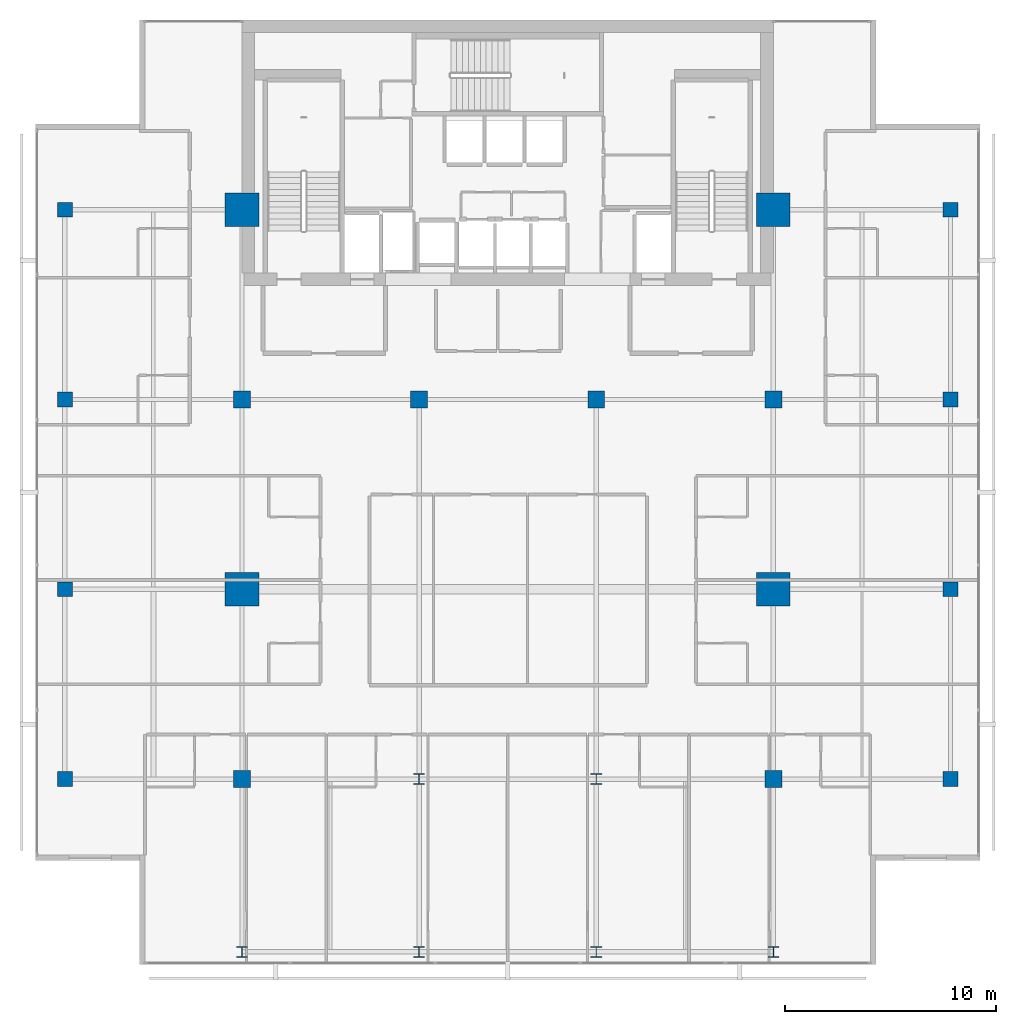
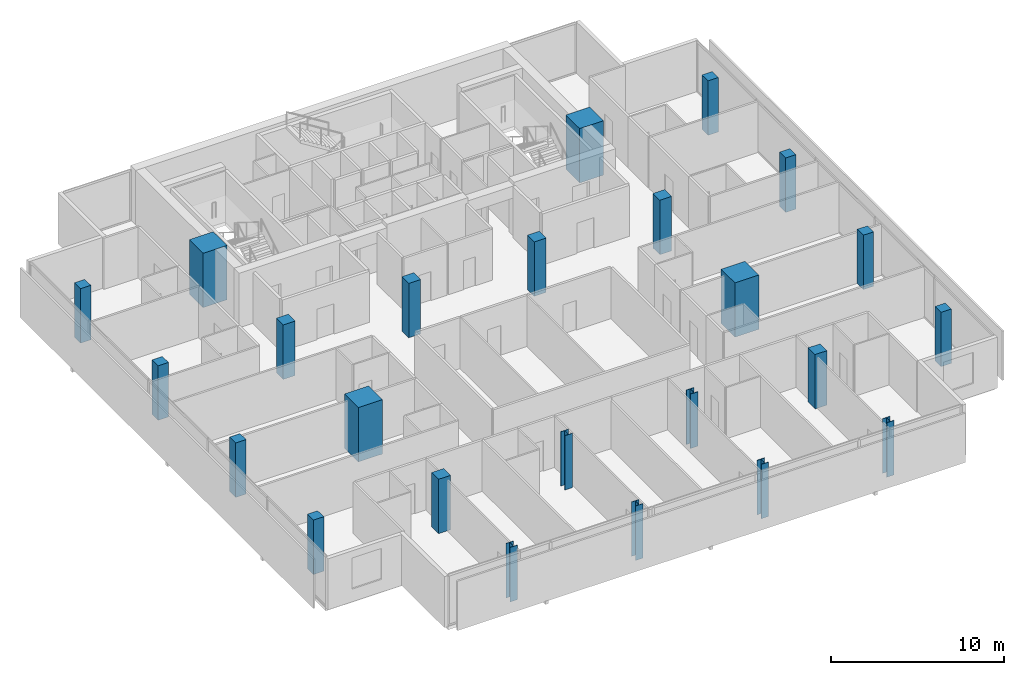
# One storey, part 1 of 26: 24 columns.
"""IFC4 building model written with IfcOpenShell, lengths in metres."""

from ifc_helpers import new_model, si_unit, direction, frame, origin, origin_2d, place, context, subcontext, project, spatial, rectangle, i_section, extrude, material, material_profile, profile_set, type_object, element, save


model = new_model("IFC4")

# Units and contexts
model_context = context("Model", 3, precision=1e-05, world=origin(), true_north=direction((0.0, 1.0)))
body_context = subcontext(model_context, "Body", "Model", "MODEL_VIEW")
ifc_project = project(units=[si_unit("LENGTHUNIT", "METRE"), si_unit("AREAUNIT", "SQUARE_METRE"), si_unit("VOLUMEUNIT", "CUBIC_METRE"), si_unit("PLANEANGLEUNIT", "RADIAN"), si_unit("MASSUNIT", "GRAM", prefix="KILO")], contexts=[model_context])

# Site, building, storey
site_placement = place(None, origin())
site = spatial("IfcSite", under=ifc_project, at=site_placement, CompositionType="ELEMENT")
building_placement = place(site_placement, origin())
building = spatial("IfcBuilding", under=site, at=building_placement, Name="Maruvema Waterfront Hotel and Observation Tower", CompositionType="ELEMENT")
storey_placement = place(building_placement, frame((0.0, 0.0, 254.800048828125)))
storey = spatial("IfcBuildingStorey", under=building, at=storey_placement, Name="L62", CompositionType="ELEMENT", Elevation=254.800048828125)

# Columns
ifc_material_1 = material(Name="Concrete C70/85", Category="concrete")
ifc_material_profile_1 = material_profile(ifc_material_1, rectangle(XDim=1.60009765625, YDim=1.60009765625, at=origin_2d()), Name="MC1600x1600")
ifc_profile_set_1 = profile_set([ifc_material_profile_1], Name="Concrete C70/85")
column_type_1 = type_object("IfcColumnType", Name="Continuous Mega-Column MC1600x1600", PredefinedType="COLUMN", material=ifc_profile_set_1)
for number, where, z_axis, x_axis, name in (
    (1, (25.199951171875, 27.0, 0.0), (0.0, 0.0, 1.0), (1.0, 0.0, 0.0), "L62 Continuous Mega-Column MC-01"),
    (2, (50.39990234375, 27.0, 0.0), (0.0, 0.0, 1.0), (1.0, 0.0, 0.0), "L62 Continuous Mega-Column MC-02"),
    (3, (25.199951171875, 45.0, 0.0), (0.0, 0.0, 1.0), (1.0, 0.0, 0.0), "L62 Continuous Mega-Column MC-03"),
    (4, (50.39990234375, 45.0, 0.0), (0.0, 0.0, 1.0), (1.0, 0.0, 0.0), "L62 Continuous Mega-Column MC-04"),
):
    element("IfcColumn", number, at=place(storey_placement, frame(where, z_axis=z_axis, x_axis=x_axis)), inside=storey, type_object=column_type_1, Name=name, PredefinedType="COLUMN", context=body_context, shape_type="SweptSolid", body=[
        extrude(rectangle(XDim=1.60009765625, YDim=1.60009765625, at=origin_2d()), origin(), (0.0, 0.0, 1.0), 3.849853515625),
    ])
ifc_material_2 = material(Name="Concrete C60/75", Category="concrete")
ifc_material_profile_2 = material_profile(ifc_material_2, rectangle(XDim=0.699951171875, YDim=0.699951171875, at=origin_2d()), Name="RC700x700")
ifc_profile_set_2 = profile_set([ifc_material_profile_2], Name="Concrete C60/75")
column_type_2 = type_object("IfcColumnType", Name="Reinforced Concrete Column RC700x700", PredefinedType="COLUMN", material=ifc_profile_set_2)
for number, where, z_axis, x_axis, name in (
    (5, (16.800048828125, 18.0, 0.0), (0.0, 0.0, 1.0), (1.0, 0.0, 0.0), "L62 Column C-3Y18"),
    (6, (58.800048828125, 18.0, 0.0), (0.0, 0.0, 1.0), (1.0, 0.0, 0.0), "L62 Column C-8Y18"),
    (7, (16.800048828125, 27.0, 0.0), (0.0, 0.0, 1.0), (1.0, 0.0, 0.0), "L62 Column C-3Y27"),
    (8, (58.800048828125, 27.0, 0.0), (0.0, 0.0, 1.0), (1.0, 0.0, 0.0), "L62 Column C-8Y27"),
    (9, (16.800048828125, 36.0, 0.0), (0.0, 0.0, 1.0), (1.0, 0.0, 0.0), "L62 Column C-3Y36"),
    (10, (58.800048828125, 36.0, 0.0), (0.0, 0.0, 1.0), (1.0, 0.0, 0.0), "L62 Column C-8Y36"),
    (11, (16.800048828125, 45.0, 0.0), (0.0, 0.0, 1.0), (1.0, 0.0, 0.0), "L62 Column C-3Y45"),
    (12, (58.800048828125, 45.0, 0.0), (0.0, 0.0, 1.0), (1.0, 0.0, 0.0), "L62 Column C-8Y45"),
):
    element("IfcColumn", number, at=place(storey_placement, frame(where, z_axis=z_axis, x_axis=x_axis)), inside=storey, type_object=column_type_2, Name=name, PredefinedType="COLUMN", context=body_context, shape_type="SweptSolid", body=[
        extrude(rectangle(XDim=0.699951171875, YDim=0.699951171875, at=origin_2d()), origin(), (0.0, 0.0, 1.0), 3.849853515625),
    ])
ifc_material_3 = material(Name="Concrete C60/75", Category="concrete")
ifc_material_profile_3 = material_profile(ifc_material_3, rectangle(XDim=0.800048828125, YDim=0.800048828125, at=origin_2d()), Name="RC800x800")
ifc_profile_set_3 = profile_set([ifc_material_profile_3], Name="Concrete C60/75")
column_type_3 = type_object("IfcColumnType", Name="Reinforced Concrete Column RC800x800", PredefinedType="COLUMN", material=ifc_profile_set_3)
for number, where, z_axis, x_axis, name in (
    (13, (25.199951171875, 36.0, 0.0), (0.0, 0.0, 1.0), (1.0, 0.0, 0.0), "L62 Column C-4E"),
    (14, (33.60009765625, 36.0, 0.0), (0.0, 0.0, 1.0), (1.0, 0.0, 0.0), "L62 Column C-5E"),
    (15, (42.0, 36.0, 0.0), (0.0, 0.0, 1.0), (1.0, 0.0, 0.0), "L62 Column C-6E"),
    (16, (50.39990234375, 36.0, 0.0), (0.0, 0.0, 1.0), (1.0, 0.0, 0.0), "L62 Column C-7E"),
    (17, (25.199951171875, 18.0, 0.0), (0.0, 0.0, 1.0), (1.0, 0.0, 0.0), "L62 Column C-4C"),
    (18, (50.39990234375, 18.0, 0.0), (0.0, 0.0, 1.0), (1.0, 0.0, 0.0), "L62 Column C-7C"),
):
    element("IfcColumn", number, at=place(storey_placement, frame(where, z_axis=z_axis, x_axis=x_axis)), inside=storey, type_object=column_type_3, Name=name, PredefinedType="COLUMN", context=body_context, shape_type="SweptSolid", body=[
        extrude(rectangle(XDim=0.800048828125, YDim=0.800048828125, at=origin_2d()), origin(), (0.0, 0.0, 1.0), 3.849853515625),
    ])
ifc_material_4 = material(Name="Steel ABNT NBR 7007 AR 415 (ASTM A572 Grade 50)", Category="steel")
ifc_material_profile_4 = material_profile(ifc_material_4, i_section(OverallWidth=0.5, OverallDepth=0.5, WebThickness=0.02197265625, FlangeThickness=0.031982421875, at=origin_2d()), Name="CVS500x223")
ifc_profile_set_4 = profile_set([ifc_material_profile_4], Name="Steel ABNT NBR 7007 AR 415 (ASTM A572 Grade 50)")
column_type_4 = type_object("IfcColumnType", Name="Structural Steel Column CVS500x223", PredefinedType="COLUMN", material=ifc_profile_set_4)
for number, where, z_axis, x_axis, name in (
    (19, (33.60009765625, 18.0, 0.0), (0.0, 0.0, 1.0), (1.0, 0.0, 0.0), "L62 Column C-5C"),
    (20, (42.0, 18.0, 0.0), (0.0, 0.0, 1.0), (1.0, 0.0, 0.0), "L62 Column C-6C"),
    (21, (25.199951171875, 9.800048828125, 0.0), (0.0, 0.0, 1.0), (1.0, 0.0, 0.0), "L62 Column C-Z3S4"),
    (22, (33.60009765625, 9.800048828125, 0.0), (0.0, 0.0, 1.0), (1.0, 0.0, 0.0), "L62 Column C-Z3S5"),
    (23, (42.0, 9.800048828125, 0.0), (0.0, 0.0, 1.0), (1.0, 0.0, 0.0), "L62 Column C-Z3S6"),
    (24, (50.39990234375, 9.800048828125, 0.0), (0.0, 0.0, 1.0), (1.0, 0.0, 0.0), "L62 Column C-Z3S7"),
):
    element("IfcColumn", number, at=place(storey_placement, frame(where, z_axis=z_axis, x_axis=x_axis)), inside=storey, type_object=column_type_4, Name=name, PredefinedType="COLUMN", context=body_context, shape_type="SweptSolid", body=[
        extrude(i_section(OverallWidth=0.5, OverallDepth=0.5, WebThickness=0.02197265625, FlangeThickness=0.031982421875, at=origin_2d()), origin(), (0.0, 0.0, 1.0), 3.849853515625),
    ])

save(model, "model.ifc")
